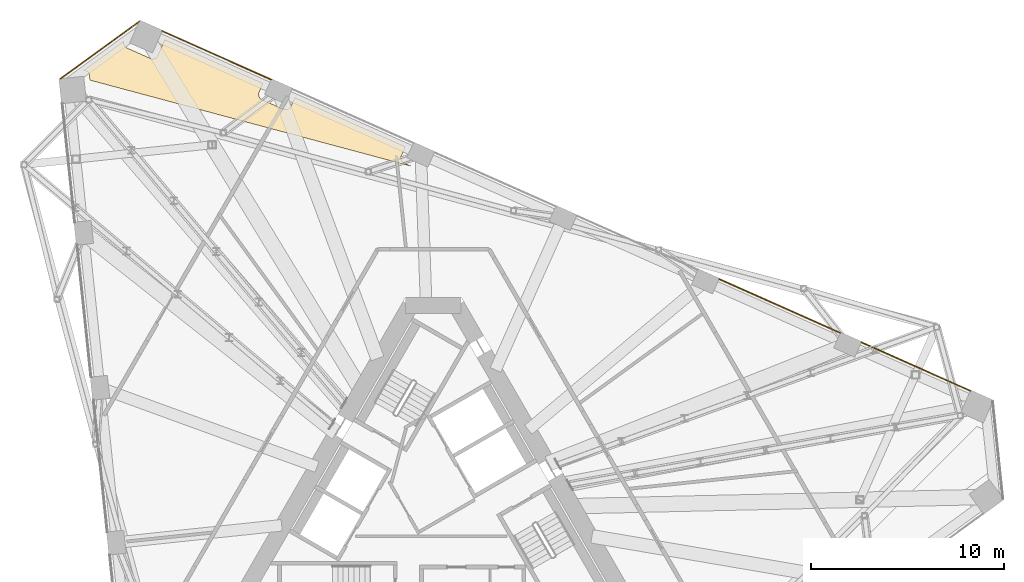
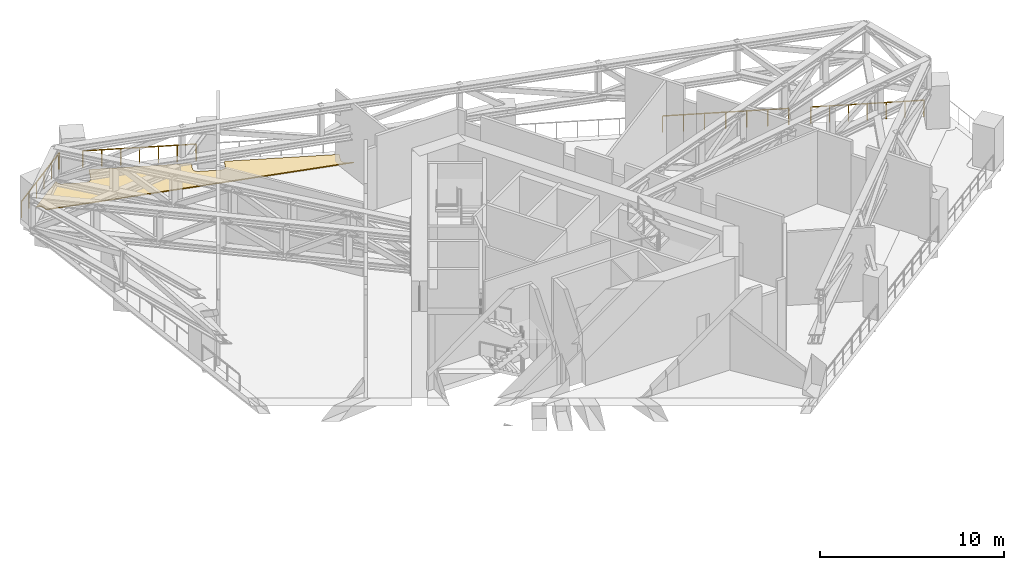
# One storey, part 26 of 26: 4 railings, 2 coverings.
"""IFC4 building model written with IfcOpenShell, lengths in metres."""

from ifc_helpers import new_model, si_unit, direction, frame, origin, origin_2d, place, context, subcontext, project, spatial, polyline, circle, outline, extrude, material, layer, layer_set, type_object, element, save


model = new_model("IFC4")

# Units and contexts
model_context = context("Model", 3, precision=1e-05, world=origin(), true_north=direction((0.0, 1.0)))
body_context = subcontext(model_context, "Body", "Model", "MODEL_VIEW")
ifc_project = project(units=[si_unit("LENGTHUNIT", "METRE"), si_unit("AREAUNIT", "SQUARE_METRE"), si_unit("VOLUMEUNIT", "CUBIC_METRE"), si_unit("PLANEANGLEUNIT", "RADIAN"), si_unit("MASSUNIT", "GRAM", prefix="KILO")], contexts=[model_context])

# Site, building, storey
site_placement = place(None, origin())
site = spatial("IfcSite", under=ifc_project, at=site_placement, CompositionType="ELEMENT")
building_placement = place(site_placement, origin())
building = spatial("IfcBuilding", under=site, at=building_placement, Name="Tramontana Tower", CompositionType="ELEMENT")
storey_placement = place(building_placement, frame((0.0, 0.0, 194.800048828125)))
storey = spatial("IfcBuildingStorey", under=building, at=storey_placement, Name="L45", CompositionType="ELEMENT", Elevation=194.800048828125)

# Railings
ifc_material_1 = material(Name="Stainless steel rail and posts", Category="steel")
railing_type = type_object("IfcRailingType", Name="GD2 Terrace guard 1100", PredefinedType="GUARDRAIL", material=ifc_material_1)
railing_1_placement = place(storey_placement, frame((-15.278564453125, 25.3017578125, 0.0)))
element("IfcRailing", 1, at=railing_1_placement, inside=storey, type_object=railing_type, Name="Edge guard L45 1", PredefinedType="GUARDRAIL", context=body_context, shape_type="SweptSolid", body=[
    extrude(circle(Radius=0.02392578125, at=origin_2d()), frame((0.0, 0.0, 1.076171875), z_axis=(-0.809007144003, -0.587798809927, 0.0), x_axis=(0.587798809927, -0.809007144003, 0.0)), (0.0, 0.0, 1.0), 5.022705078125),
    extrude(circle(Radius=0.02099609375, at=origin_2d()), origin(), (0.0, 0.0, 1.0), 1.052001953125),
    extrude(circle(Radius=0.02099609375, at=origin_2d()), frame((-0.812744140625, -0.590576171875, 0.0)), (0.0, 0.0, 1.0), 1.052001953125),
    extrude(circle(Radius=0.02099609375, at=origin_2d()), frame((-1.62548828125, -1.180908203125, 0.0)), (0.0, 0.0, 1.0), 1.052001953125),
    extrude(circle(Radius=0.02099609375, at=origin_2d()), frame((-2.43798828125, -1.771484375, 0.0)), (0.0, 0.0, 1.0), 1.052001953125),
    extrude(circle(Radius=0.02099609375, at=origin_2d()), frame((-3.250732421875, -2.36181640625, 0.0)), (0.0, 0.0, 1.0), 1.052001953125),
    extrude(circle(Radius=0.02099609375, at=origin_2d()), frame((-4.0634765625, -2.952392578125, 0.0)), (0.0, 0.0, 1.0), 1.052001953125),
])
railing_2_placement = place(storey_placement, frame((-8.422119140625, 22.303955078125, 0.0)))
element("IfcRailing", 2, at=railing_2_placement, inside=storey, type_object=railing_type, Name="Edge guard L45 9", PredefinedType="GUARDRAIL", context=body_context, shape_type="SweptSolid", body=[
    extrude(circle(Radius=0.02392578125, at=origin_2d()), frame((0.0, 0.0, 1.076171875), z_axis=(-0.913557354284, 0.406709921729, 0.0), x_axis=(-0.406709921729, -0.913557354284, 0.0)), (0.0, 0.0, 1.0), 6.182861328125),
    extrude(circle(Radius=0.02099609375, at=origin_2d()), origin(), (0.0, 0.0, 1.0), 1.052001953125),
    extrude(circle(Radius=0.02099609375, at=origin_2d()), frame((-0.94140625, 0.419189453125, 0.0)), (0.0, 0.0, 1.0), 1.052001953125),
    extrude(circle(Radius=0.02099609375, at=origin_2d()), frame((-1.8828125, 0.838134765625, 0.0)), (0.0, 0.0, 1.0), 1.052001953125),
    extrude(circle(Radius=0.02099609375, at=origin_2d()), frame((-2.82421875, 1.25732421875, 0.0)), (0.0, 0.0, 1.0), 1.052001953125),
    extrude(circle(Radius=0.02099609375, at=origin_2d()), frame((-3.765625, 1.676513671875, 0.0)), (0.0, 0.0, 1.0), 1.052001953125),
    extrude(circle(Radius=0.02099609375, at=origin_2d()), frame((-4.70703125, 2.095458984375, 0.0)), (0.0, 0.0, 1.0), 1.052001953125),
    extrude(circle(Radius=0.02099609375, at=origin_2d()), frame((-5.6484375, 2.5146484375, 0.0)), (0.0, 0.0, 1.0), 1.052001953125),
])
railing_3_placement = place(storey_placement, frame((21.1142578125, 9.1533203125, 0.0)))
element("IfcRailing", 3, at=railing_3_placement, inside=storey, type_object=railing_type, Name="Edge guard L45 17", PredefinedType="GUARDRAIL", context=body_context, shape_type="SweptSolid", body=[
    extrude(circle(Radius=0.02392578125, at=origin_2d()), frame((0.0, 0.0, 1.076171875), z_axis=(-0.913543675585, 0.40674064562, 0.0), x_axis=(-0.40674064562, -0.913543675585, 0.0)), (0.0, 0.0, 1.0), 6.8828125),
    extrude(circle(Radius=0.02099609375, at=origin_2d()), origin(), (0.0, 0.0, 1.0), 1.052001953125),
    extrude(circle(Radius=0.02099609375, at=origin_2d()), frame((-1.0478515625, 0.466552734375, 0.0)), (0.0, 0.0, 1.0), 1.052001953125),
    extrude(circle(Radius=0.02099609375, at=origin_2d()), frame((-2.095947265625, 0.93310546875, 0.0)), (0.0, 0.0, 1.0), 1.052001953125),
    extrude(circle(Radius=0.02099609375, at=origin_2d()), frame((-3.14404296875, 1.39990234375, 0.0)), (0.0, 0.0, 1.0), 1.052001953125),
    extrude(circle(Radius=0.02099609375, at=origin_2d()), frame((-4.19189453125, 1.866455078125, 0.0)), (0.0, 0.0, 1.0), 1.052001953125),
    extrude(circle(Radius=0.02099609375, at=origin_2d()), frame((-5.23974609375, 2.3330078125, 0.0)), (0.0, 0.0, 1.0), 1.052001953125),
    extrude(circle(Radius=0.02099609375, at=origin_2d()), frame((-6.287841796875, 2.799560546875, 0.0)), (0.0, 0.0, 1.0), 1.052001953125),
])
railing_4_placement = place(storey_placement, frame((27.85888671875, 6.150634765625, 0.0)))
element("IfcRailing", 4, at=railing_4_placement, inside=storey, type_object=railing_type, Name="Edge guard L45 19", PredefinedType="GUARDRAIL", context=body_context, shape_type="SweptSolid", body=[
    extrude(circle(Radius=0.02392578125, at=origin_2d()), frame((0.0, 0.0, 1.076171875), z_axis=(-0.913557354284, 0.406709921729, 0.0), x_axis=(-0.406709921729, -0.913557354284, 0.0)), (0.0, 0.0, 1.0), 6.182861328125),
    extrude(circle(Radius=0.02099609375, at=origin_2d()), origin(), (0.0, 0.0, 1.0), 1.052001953125),
    extrude(circle(Radius=0.02099609375, at=origin_2d()), frame((-0.94140625, 0.419189453125, 0.0)), (0.0, 0.0, 1.0), 1.052001953125),
    extrude(circle(Radius=0.02099609375, at=origin_2d()), frame((-1.8828125, 0.838134765625, 0.0)), (0.0, 0.0, 1.0), 1.052001953125),
    extrude(circle(Radius=0.02099609375, at=origin_2d()), frame((-2.82421875, 1.25732421875, 0.0)), (0.0, 0.0, 1.0), 1.052001953125),
    extrude(circle(Radius=0.02099609375, at=origin_2d()), frame((-3.765625, 1.676513671875, 0.0)), (0.0, 0.0, 1.0), 1.052001953125),
    extrude(circle(Radius=0.02099609375, at=origin_2d()), frame((-4.70703125, 2.095458984375, 0.0)), (0.0, 0.0, 1.0), 1.052001953125),
    extrude(circle(Radius=0.02099609375, at=origin_2d()), frame((-5.6484375, 2.5146484375, 0.0)), (0.0, 0.0, 1.0), 1.052001953125),
])

# Coverings
ifc_material_2 = material(Name="Limestone paving 60", Category="masonry")
ifc_layer_1 = layer(ifc_material_2, 0.06005859375)
ifc_layer_set_1 = layer_set([ifc_layer_1], Name="PV1 Terrace paving 60")
covering_type_1 = type_object("IfcCoveringType", Name="PV1 Terrace paving 60", PredefinedType="FLOORING", material=ifc_layer_set_1)
covering_1_placement = place(storey_placement, frame((0.0, 0.0, 0.010009765625)))
element("IfcCovering", 5, at=covering_1_placement, inside=storey, type_object=covering_type_1, Name="Terrace paving L45 1", PredefinedType="FLOORING", context=body_context, shape_type="SweptSolid", body=[
    extrude(outline(polyline([(-16.047119140625, 24.310546875), (-16.05126953125, 24.300048828125), (-16.05908203125, 24.271728515625), (-16.064208984375, 24.24267578125), (-16.06640625, 24.21337890625), (-16.065673828125, 24.183837890625), (-16.062255859375, 24.15478515625), (-16.055908203125, 24.1259765625), (-16.046630859375, 24.097900390625), (-16.03466796875, 24.071044921875), (-16.020263671875, 24.04541015625), (-16.00341796875, 24.021240234375), (-15.984130859375, 23.9990234375), (-15.962890625, 23.978759765625), (-15.939697265625, 23.96044921875), (-15.914794921875, 23.94482421875), (-15.888671875, 23.931396484375), (-14.700927734375, 23.402587890625), (-14.673583984375, 23.39208984375), (-14.64501953125, 23.384033203125), (-14.6162109375, 23.379150390625), (-14.586669921875, 23.376953125), (-14.557373046875, 23.37744140625), (-14.528076171875, 23.381103515625), (-14.499267578125, 23.387451171875), (-14.471435546875, 23.396728515625), (-14.444580078125, 23.408447265625), (-14.4189453125, 23.423095703125), (-14.394775390625, 23.43994140625), (-14.372314453125, 23.459228515625), (-14.35205078125, 23.48046875), (-14.333984375, 23.503662109375), (-14.318115234375, 23.528564453125), (-14.304931640625, 23.5546875), (-13.938720703125, 24.376953125), (-8.838623046875, 22.106201171875), (-9.0419921875, 21.6494140625), (-9.052490234375, 21.621826171875), (-9.060546875, 21.593505859375), (-9.0654296875, 21.564453125), (-9.06787109375, 21.53515625), (-9.067138671875, 21.505859375), (-9.0634765625, 21.4765625), (-9.05712890625, 21.44775390625), (-9.0478515625, 21.419921875), (-9.0361328125, 21.392822265625), (-9.021484375, 21.3671875), (-9.004638671875, 21.34326171875), (-8.985595703125, 21.32080078125), (-8.964111328125, 21.300537109375), (-8.94091796875, 21.282470703125), (-8.916259765625, 21.2666015625), (-8.889892578125, 21.253173828125), (-7.793701171875, 20.76513671875), (-7.76611328125, 20.754638671875), (-7.73779296875, 20.74658203125), (-7.708740234375, 20.74169921875), (-7.679443359375, 20.7392578125), (-7.650146484375, 20.739990234375), (-7.620849609375, 20.74365234375), (-7.592041015625, 20.75), (-7.564208984375, 20.75927734375), (-7.537109375, 20.77099609375), (-7.511474609375, 20.78564453125), (-7.487548828125, 20.802490234375), (-7.465087890625, 20.821533203125), (-7.44482421875, 20.843017578125), (-7.426513671875, 20.8662109375), (-7.410888671875, 20.890869140625), (-7.3974609375, 20.917236328125), (-7.194091796875, 21.3740234375), (-1.454345703125, 18.818603515625), (-1.65771484375, 18.36181640625), (-1.66845703125, 18.334228515625), (-1.67626953125, 18.305908203125), (-1.681396484375, 18.27685546875), (-1.68359375, 18.24755859375), (-1.68310546875, 18.21826171875), (-1.679443359375, 18.18896484375), (-1.673095703125, 18.16015625), (-1.663818359375, 18.13232421875), (-1.65185546875, 18.105224609375), (-1.637451171875, 18.07958984375), (-1.62060546875, 18.0556640625), (-1.601318359375, 18.033203125), (-1.580078125, 18.012939453125), (-1.556884765625, 17.99462890625), (-1.531982421875, 17.97900390625), (-1.505859375, 17.965576171875), (-1.13330078125, 17.7998046875), (-17.82568359375, 22.2724609375), (-17.850341796875, 22.506103515625), (-17.854736328125, 22.53515625), (-17.862060546875, 22.563720703125), (-17.872314453125, 22.59130859375), (-17.885009765625, 22.617919921875), (-17.900390625, 22.64306640625), (-17.91796875, 22.66650390625), (-17.93798828125, 22.688232421875), (-17.9599609375, 22.7080078125), (-17.983642578125, 22.725341796875), (-18.009033203125, 22.740234375), (-18.03564453125, 22.752685546875), (-18.0634765625, 22.762451171875), (-18.092041015625, 22.769287109375), (-18.121337890625, 22.7734375), (-18.150634765625, 22.774658203125), (-18.161865234375, 22.774169921875), (-16.047119140625, 24.310546875)])), origin(), (0.0, 0.0, 1.0), 0.06005859375),
])
ifc_material_3 = material(Name="Bituminous waterproofing membrane")
ifc_layer_2 = layer(ifc_material_3, 0.010009765625)
ifc_layer_set_2 = layer_set([ifc_layer_2], Name="WP1 Terrace waterproofing membrane 10")
covering_type_2 = type_object("IfcCoveringType", Name="WP1 Terrace waterproofing membrane 10", PredefinedType="MEMBRANE", material=ifc_layer_set_2)
covering_2_placement = place(storey_placement, origin())
element("IfcCovering", 6, at=covering_2_placement, inside=storey, type_object=covering_type_2, Name="Terrace membrane L45 1", PredefinedType="MEMBRANE", context=body_context, shape_type="SweptSolid", body=[
    extrude(outline(polyline([(-16.047119140625, 24.310546875), (-16.05126953125, 24.300048828125), (-16.05908203125, 24.271728515625), (-16.064208984375, 24.24267578125), (-16.06640625, 24.21337890625), (-16.065673828125, 24.183837890625), (-16.062255859375, 24.15478515625), (-16.055908203125, 24.1259765625), (-16.046630859375, 24.097900390625), (-16.03466796875, 24.071044921875), (-16.020263671875, 24.04541015625), (-16.00341796875, 24.021240234375), (-15.984130859375, 23.9990234375), (-15.962890625, 23.978759765625), (-15.939697265625, 23.96044921875), (-15.914794921875, 23.94482421875), (-15.888671875, 23.931396484375), (-14.700927734375, 23.402587890625), (-14.673583984375, 23.39208984375), (-14.64501953125, 23.384033203125), (-14.6162109375, 23.379150390625), (-14.586669921875, 23.376953125), (-14.557373046875, 23.37744140625), (-14.528076171875, 23.381103515625), (-14.499267578125, 23.387451171875), (-14.471435546875, 23.396728515625), (-14.444580078125, 23.408447265625), (-14.4189453125, 23.423095703125), (-14.394775390625, 23.43994140625), (-14.372314453125, 23.459228515625), (-14.35205078125, 23.48046875), (-14.333984375, 23.503662109375), (-14.318115234375, 23.528564453125), (-14.304931640625, 23.5546875), (-13.938720703125, 24.376953125), (-8.838623046875, 22.106201171875), (-9.0419921875, 21.6494140625), (-9.052490234375, 21.621826171875), (-9.060546875, 21.593505859375), (-9.0654296875, 21.564453125), (-9.06787109375, 21.53515625), (-9.067138671875, 21.505859375), (-9.0634765625, 21.4765625), (-9.05712890625, 21.44775390625), (-9.0478515625, 21.419921875), (-9.0361328125, 21.392822265625), (-9.021484375, 21.3671875), (-9.004638671875, 21.34326171875), (-8.985595703125, 21.32080078125), (-8.964111328125, 21.300537109375), (-8.94091796875, 21.282470703125), (-8.916259765625, 21.2666015625), (-8.889892578125, 21.253173828125), (-7.793701171875, 20.76513671875), (-7.76611328125, 20.754638671875), (-7.73779296875, 20.74658203125), (-7.708740234375, 20.74169921875), (-7.679443359375, 20.7392578125), (-7.650146484375, 20.739990234375), (-7.620849609375, 20.74365234375), (-7.592041015625, 20.75), (-7.564208984375, 20.75927734375), (-7.537109375, 20.77099609375), (-7.511474609375, 20.78564453125), (-7.487548828125, 20.802490234375), (-7.465087890625, 20.821533203125), (-7.44482421875, 20.843017578125), (-7.426513671875, 20.8662109375), (-7.410888671875, 20.890869140625), (-7.3974609375, 20.917236328125), (-7.194091796875, 21.3740234375), (-1.454345703125, 18.818603515625), (-1.65771484375, 18.36181640625), (-1.66845703125, 18.334228515625), (-1.67626953125, 18.305908203125), (-1.681396484375, 18.27685546875), (-1.68359375, 18.24755859375), (-1.68310546875, 18.21826171875), (-1.679443359375, 18.18896484375), (-1.673095703125, 18.16015625), (-1.663818359375, 18.13232421875), (-1.65185546875, 18.105224609375), (-1.637451171875, 18.07958984375), (-1.62060546875, 18.0556640625), (-1.601318359375, 18.033203125), (-1.580078125, 18.012939453125), (-1.556884765625, 17.99462890625), (-1.531982421875, 17.97900390625), (-1.505859375, 17.965576171875), (-1.13330078125, 17.7998046875), (-17.82568359375, 22.2724609375), (-17.850341796875, 22.506103515625), (-17.854736328125, 22.53515625), (-17.862060546875, 22.563720703125), (-17.872314453125, 22.59130859375), (-17.885009765625, 22.617919921875), (-17.900390625, 22.64306640625), (-17.91796875, 22.66650390625), (-17.93798828125, 22.688232421875), (-17.9599609375, 22.7080078125), (-17.983642578125, 22.725341796875), (-18.009033203125, 22.740234375), (-18.03564453125, 22.752685546875), (-18.0634765625, 22.762451171875), (-18.092041015625, 22.769287109375), (-18.121337890625, 22.7734375), (-18.150634765625, 22.774658203125), (-18.161865234375, 22.774169921875), (-16.047119140625, 24.310546875)])), origin(), (0.0, 0.0, 1.0), 0.010009765625),
])

save(model, "model.ifc")
